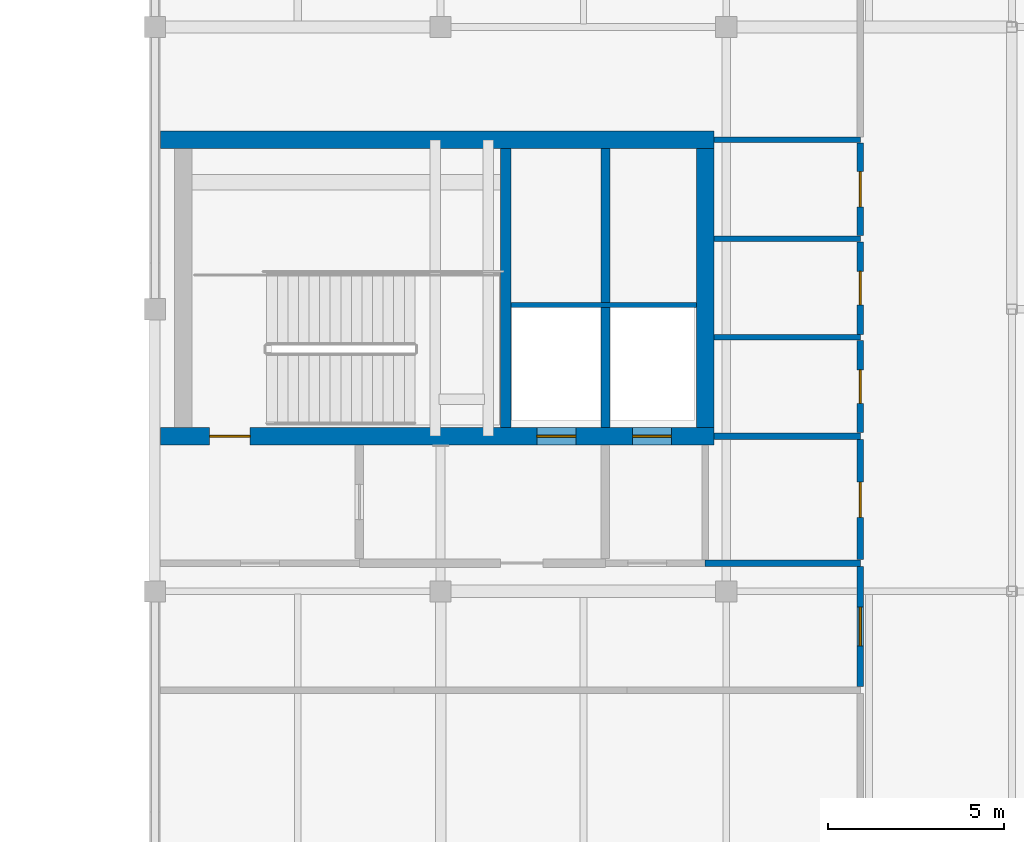
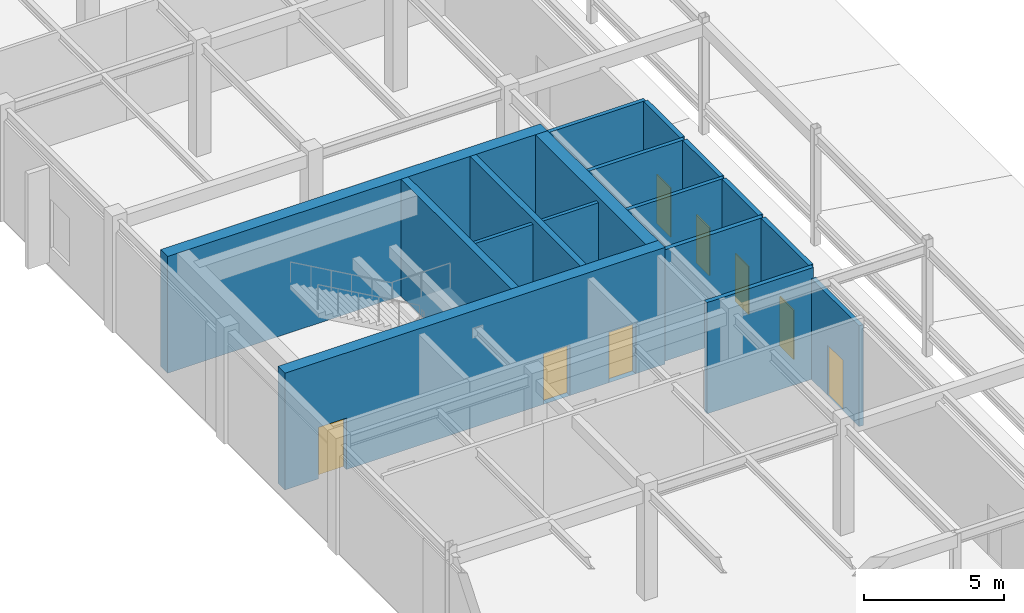
# One storey, part 60 of 70: 16 walls, 8 doors, 8 openings.
"""IFC4 building model written with IfcOpenShell, lengths in metres."""

from ifc_helpers import new_model, si_unit, direction, frame, frame_2d, origin, place, context, subcontext, project, spatial, rectangle, extrude, material, layer, layer_set, type_object, element, fill, save


model = new_model("IFC4")

# Units and contexts
model_context = context("Model", 3, precision=1e-05, world=origin(), true_north=direction((0.0, 1.0)))
body_context = subcontext(model_context, "Body", "Model", "MODEL_VIEW")
ifc_project = project(units=[si_unit("LENGTHUNIT", "METRE"), si_unit("AREAUNIT", "SQUARE_METRE"), si_unit("VOLUMEUNIT", "CUBIC_METRE"), si_unit("PLANEANGLEUNIT", "RADIAN"), si_unit("MASSUNIT", "GRAM", prefix="KILO")], contexts=[model_context])

# Site, building, storey
site_placement = place(None, origin())
site = spatial("IfcSite", under=ifc_project, at=site_placement, CompositionType="ELEMENT")
building_placement = place(site_placement, origin())
building = spatial("IfcBuilding", under=site, at=building_placement, Name="Tarnveldt Square Police Headquarters", CompositionType="ELEMENT")
storey_placement = place(building_placement, frame((0.0, 0.0, 19.800048828125)))
storey = spatial("IfcBuildingStorey", under=building, at=storey_placement, Name="L04", CompositionType="ELEMENT", Elevation=19.800048828125)

# Walls
ifc_material_1 = material(Name="Concrete 50 MPa", Category="concrete")
ifc_layer_1 = layer(ifc_material_1, 0.449951171875)
ifc_layer_set_1 = layer_set([ifc_layer_1], Name="Concrete 50 MPa")
wall_type_1 = type_object("IfcWallType", Name="WL-CORE-450", PredefinedType="SHEAR", material=ifc_layer_set_1)
wall_1_placement = place(storey_placement, frame((26.14990234375, 60.64990234375, 0.0), z_axis=(0.0, 0.0, 1.0), x_axis=(0.0, 1.0, 0.0)))
element("IfcWall", 1, at=wall_1_placement, inside=storey, type_object=wall_type_1, Name="Core K1 South-West Command and Firefighting Core L04 Stair-Lift Divider Shear Wall", PredefinedType="SHEAR", context=body_context, shape_type="SweptSolid", body=[
    extrude(rectangle(XDim=7.900146484375, YDim=0.300048828125, at=frame_2d((3.9501953125, 0.0))), origin(), (0.0, 0.0, 1.0), 5.099853515625),
])
wall_2_placement = place(storey_placement, frame((28.97509765625, 60.64990234375, 0.0), z_axis=(0.0, 0.0, 1.0), x_axis=(0.0, 1.0, 0.0)))
element("IfcWall", 2, at=wall_2_placement, inside=storey, type_object=wall_type_1, Name="Core K1 South-West Command and Firefighting Core L04 Dual-Lift Shaft Divider Wall", PredefinedType="SHEAR", context=body_context, shape_type="SweptSolid", body=[
    extrude(rectangle(XDim=7.900146484375, YDim=0.25, at=frame_2d((3.9501953125, 0.0))), origin(), (0.0, 0.0, 1.0), 5.099853515625),
])

# Wall, openings, doors
ifc_layer_2 = layer(ifc_material_1, 0.5)
ifc_layer_set_2 = layer_set([ifc_layer_2], Name="Concrete 50 MPa")
wall_type_2 = type_object("IfcWallType", Name="WL-CORE-500", PredefinedType="SHEAR", material=ifc_layer_set_2)
wall_3_placement = place(storey_placement, frame((16.360107421875, 60.39990234375, 0.0), z_axis=(0.0, 0.0, 1.0), x_axis=(1.0, 0.0, 0.0)))
wall_3 = element("IfcWall", 3, at=wall_3_placement, inside=storey, type_object=wall_type_2, Name="Core K1 South-West Command and Firefighting Core L04 South Shear Wall", PredefinedType="SHEAR", context=body_context, shape_type="SweptSolid", body=[
    extrude(rectangle(XDim=15.68994140625, YDim=0.5, at=frame_2d((7.844970703125, 0.0))), origin(), (0.0, 0.0, 1.0), 5.099853515625),
])
opening_1_placement = place(wall_3_placement, frame((1.389892578125, 0.0, 0.0)))
opening_1 = element("IfcOpeningElement", 4, at=opening_1_placement, cuts=wall_3, Name="Opening D-ST1-L04", PredefinedType="OPENING", context=body_context, shape_type="SweptSolid", body=[
    extrude(rectangle(XDim=1.14990234375, YDim=2.25, at=frame_2d((0.574951171875, 1.125))), frame((0.0, 0.260009765625, 0.0), z_axis=(0.0, -1.0, 0.0), x_axis=(1.0, 0.0, 0.0)), (0.0, 0.0, 1.0), 0.52001953125),
])
opening_2_placement = place(wall_3_placement, frame((10.672607421875, 0.0, 0.0)))
opening_2 = element("IfcOpeningElement", 5, at=opening_2_placement, cuts=wall_3, Name="Opening LD-LF1-L04", PredefinedType="OPENING", context=body_context, shape_type="SweptSolid", body=[
    extrude(rectangle(XDim=1.10009765625, YDim=2.199951171875, at=frame_2d((0.550048828125, 1.10009765625))), frame((0.0, 0.260009765625, 0.0), z_axis=(0.0, -1.0, 0.0), x_axis=(1.0, 0.0, 0.0)), (0.0, 0.0, 1.0), 0.52001953125),
])
opening_3_placement = place(wall_3_placement, frame((13.387451171875, 0.0, 0.0)))
opening_3 = element("IfcOpeningElement", 6, at=opening_3_placement, cuts=wall_3, Name="Opening LD-LP1-L04", PredefinedType="OPENING", context=body_context, shape_type="SweptSolid", body=[
    extrude(rectangle(XDim=1.10009765625, YDim=2.199951171875, at=frame_2d((0.550048828125, 1.10009765625))), frame((0.0, 0.260009765625, 0.0), z_axis=(0.0, -1.0, 0.0), x_axis=(1.0, 0.0, 0.0)), (0.0, 0.0, 1.0), 0.52001953125),
])
ifc_material_2 = material(Name="Insulated hollow metal steel door leaf", Category="steel")
door_type_1 = type_object("IfcDoorType", Name="DR-FD90-1150", OperationType="NOTDEFINED", PredefinedType="DOOR", material=ifc_material_2)
door_1_placement = place(opening_1_placement, origin())
door_1 = element("IfcDoor", 7, at=door_1_placement, inside=storey, type_object=door_type_1, Name="Exit Stair ST1 L04 Fire Door", OperationType="SINGLE_SWING_RIGHT", OverallHeight=2.25, OverallWidth=1.14990234375, PredefinedType="DOOR", context=body_context, shape_type="SweptSolid", body=[
    extrude(rectangle(XDim=1.14990234375, YDim=2.25, at=frame_2d((0.574951171875, 1.125))), frame((0.0, 0.02490234375, 0.0), z_axis=(0.0, -1.0, 0.0), x_axis=(1.0, 0.0, 0.0)), (0.0, 0.0, 1.0), 0.050048828125),
])
fill(opening_1, door_1)
ifc_material_3 = material(Name="Steel 350W", Category="steel")
door_type_2 = type_object("IfcDoorType", Name="DR-LD-1100", OperationType="DOUBLE_DOOR_SLIDING", PredefinedType="DOOR", material=ifc_material_3)
door_2_placement = place(opening_2_placement, frame((1.10009765625, 0.0, 0.0), z_axis=(0.0, 0.0, 1.0), x_axis=(-1.0, 0.0, 0.0)))
door_2 = element("IfcDoor", 8, at=door_2_placement, inside=storey, type_object=door_type_2, Name="Elevator LF1 L04 Sliding Landing Door", OperationType="DOUBLE_DOOR_SLIDING", OverallHeight=2.199951171875, OverallWidth=1.10009765625, PredefinedType="DOOR", context=body_context, shape_type="SweptSolid", body=[
    extrude(rectangle(XDim=1.10009765625, YDim=2.199951171875, at=frame_2d((0.550048828125, 1.10009765625))), frame((0.0, 0.02490234375, 0.0), z_axis=(0.0, -1.0, 0.0), x_axis=(1.0, 0.0, 0.0)), (0.0, 0.0, 1.0), 0.050048828125),
])
fill(opening_2, door_2)
door_3_placement = place(opening_3_placement, frame((1.10009765625, 0.0, 0.0), z_axis=(0.0, 0.0, 1.0), x_axis=(-1.0, 0.0, 0.0)))
door_3 = element("IfcDoor", 9, at=door_3_placement, inside=storey, type_object=door_type_2, Name="Elevator LP1 L04 Sliding Landing Door", OperationType="DOUBLE_DOOR_SLIDING", OverallHeight=2.199951171875, OverallWidth=1.10009765625, PredefinedType="DOOR", context=body_context, shape_type="SweptSolid", body=[
    extrude(rectangle(XDim=1.10009765625, YDim=2.199951171875, at=frame_2d((0.550048828125, 1.10009765625))), frame((0.0, 0.02490234375, 0.0), z_axis=(0.0, -1.0, 0.0), x_axis=(1.0, 0.0, 0.0)), (0.0, 0.0, 1.0), 0.050048828125),
])
fill(opening_3, door_3)

# Walls
wall_4_placement = place(storey_placement, frame((16.360107421875, 68.800048828125, 0.0), z_axis=(0.0, 0.0, 1.0), x_axis=(1.0, 0.0, 0.0)))
element("IfcWall", 10, at=wall_4_placement, inside=storey, type_object=wall_type_2, Name="Core K1 South-West Command and Firefighting Core L04 North Shear Wall", PredefinedType="SHEAR", context=body_context, shape_type="SweptSolid", body=[
    extrude(rectangle(XDim=15.68994140625, YDim=0.5, at=frame_2d((7.844970703125, 0.0))), origin(), (0.0, 0.0, 1.0), 5.099853515625),
])
wall_5_placement = place(storey_placement, frame((31.800048828125, 60.64990234375, 0.0), z_axis=(0.0, 0.0, 1.0), x_axis=(0.0, 1.0, 0.0)))
element("IfcWall", 11, at=wall_5_placement, inside=storey, type_object=wall_type_2, Name="Core K1 South-West Command and Firefighting Core L04 East Shear Wall", PredefinedType="SHEAR", context=body_context, shape_type="SweptSolid", body=[
    extrude(rectangle(XDim=7.900146484375, YDim=0.5, at=frame_2d((3.9501953125, 0.0))), origin(), (0.0, 0.0, 1.0), 5.099853515625),
])
ifc_material_4 = material(Name="Fire-rated Type X gypsum board on steel studs", Category="steel")
ifc_layer_3 = layer(ifc_material_4, 0.179931640625)
ifc_layer_set_3 = layer_set([ifc_layer_3], Name="Fire-rated Type X gypsum board on steel studs")
wall_type_3 = type_object("IfcWallType", Name="WL-FIRE-180", PredefinedType="PARTITIONING", material=ifc_layer_set_3)
wall_6_placement = place(storey_placement, frame((31.800048828125, 56.800048828125, 0.0), z_axis=(0.0, 0.0, 1.0), x_axis=(1.0, 0.0, 0.0)))
element("IfcWall", 12, at=wall_6_placement, inside=storey, type_object=wall_type_3, Name="L04 Interior Partition Wall 0552", PredefinedType="PARTITIONING", context=body_context, shape_type="SweptSolid", body=[
    extrude(rectangle(XDim=4.39990234375, YDim=0.179931640625, at=frame_2d((2.199951171875, 0.0))), origin(), (0.0, 0.0, 1.0), 4.85986328125),
])
wall_7_placement = place(storey_placement, frame((32.050048828125, 60.39990234375, 0.0), z_axis=(0.0, 0.0, 1.0), x_axis=(1.0, 0.0, 0.0)))
element("IfcWall", 13, at=wall_7_placement, inside=storey, type_object=wall_type_3, Name="L04 Interior Partition Wall 0553", PredefinedType="PARTITIONING", context=body_context, shape_type="SweptSolid", body=[
    extrude(rectangle(XDim=4.14990234375, YDim=0.179931640625, at=frame_2d((2.074951171875, 0.0))), origin(), (0.0, 0.0, 1.0), 4.85986328125),
])

# Wall, opening, door
wall_8_placement = place(storey_placement, frame((36.199951171875, 53.298095703125, 0.0), z_axis=(0.0, 0.0, 1.0), x_axis=(0.0, 1.0, 0.0)))
wall_8 = element("IfcWall", 14, at=wall_8_placement, inside=storey, type_object=wall_type_3, Name="L04 Interior Partition Wall 0575", PredefinedType="PARTITIONING", context=body_context, shape_type="SweptSolid", body=[
    extrude(rectangle(XDim=3.40380859375, YDim=0.179931640625, at=frame_2d((1.701904296875, 0.0))), origin(), (0.0, 0.0, 1.0), 4.405029296875),
])
opening_4_placement = place(wall_8_placement, frame((1.152099609375, 0.0, 0.0)))
opening_4 = element("IfcOpeningElement", 15, at=opening_4_placement, cuts=wall_8, Name="Opening D15", PredefinedType="OPENING", context=body_context, shape_type="SweptSolid", body=[
    extrude(rectangle(XDim=1.10009765625, YDim=2.199951171875, at=frame_2d((0.550048828125, 1.10009765625))), frame((0.0, 0.099853515625, 0.0), z_axis=(0.0, -1.0, 0.0), x_axis=(1.0, 0.0, 0.0)), (0.0, 0.0, 1.0), 0.199951171875),
])
door_type_3 = type_object("IfcDoorType", Name="DR-FD60-1100", OperationType="NOTDEFINED", PredefinedType="DOOR", material=ifc_material_2)
door_4_placement = place(opening_4_placement, origin())
door_4 = element("IfcDoor", 16, at=door_4_placement, inside=storey, type_object=door_type_3, Name="Core K1 South Link Corridor L04 Door", OperationType="SINGLE_SWING_LEFT", OverallHeight=2.199951171875, OverallWidth=1.10009765625, PredefinedType="DOOR", context=body_context, shape_type="SweptSolid", body=[
    extrude(rectangle(XDim=1.10009765625, YDim=2.199951171875, at=frame_2d((0.550048828125, 1.10009765625))), frame((0.0, 0.02490234375, 0.0), z_axis=(0.0, -1.0, 0.0), x_axis=(1.0, 0.0, 0.0)), (0.0, 0.0, 1.0), 0.050048828125),
])
fill(opening_4, door_4)

wall_9_placement = place(storey_placement, frame((36.199951171875, 56.89794921875, 0.0), z_axis=(0.0, 0.0, 1.0), x_axis=(0.0, 1.0, 0.0)))
wall_9 = element("IfcWall", 17, at=wall_9_placement, inside=storey, type_object=wall_type_3, Name="L04 Interior Partition Wall 0576", PredefinedType="PARTITIONING", context=body_context, shape_type="SweptSolid", body=[
    extrude(rectangle(XDim=3.404052734375, YDim=0.179931640625, at=frame_2d((1.7021484375, 0.0))), origin(), (0.0, 0.0, 1.0), 4.85986328125),
])
opening_5_placement = place(wall_9_placement, frame((1.201904296875, 0.0, 0.0)))
opening_5 = element("IfcOpeningElement", 18, at=opening_5_placement, cuts=wall_9, Name="Opening D14", PredefinedType="OPENING", context=body_context, shape_type="SweptSolid", body=[
    extrude(rectangle(XDim=1.0, YDim=2.14990234375, at=frame_2d((0.5, 1.074951171875))), frame((0.0, 0.099853515625, 0.0), z_axis=(0.0, -1.0, 0.0), x_axis=(1.0, 0.0, 0.0)), (0.0, 0.0, 1.0), 0.199951171875),
])
door_type_4 = type_object("IfcDoorType", Name="DR-FD60-1000", OperationType="NOTDEFINED", PredefinedType="DOOR", material=ifc_material_2)
door_5_placement = place(opening_5_placement, origin())
door_5 = element("IfcDoor", 19, at=door_5_placement, inside=storey, type_object=door_type_4, Name="Electrical Distribution Room L04 Door", OperationType="SINGLE_SWING_RIGHT", OverallHeight=2.14990234375, OverallWidth=1.0, PredefinedType="DOOR", context=body_context, shape_type="SweptSolid", body=[
    extrude(rectangle(XDim=1.0, YDim=2.14990234375, at=frame_2d((0.5, 1.074951171875))), frame((0.0, 0.02490234375, 0.0), z_axis=(0.0, -1.0, 0.0), x_axis=(1.0, 0.0, 0.0)), (0.0, 0.0, 1.0), 0.050048828125),
])
fill(opening_5, door_5)

wall_10_placement = place(storey_placement, frame((36.199951171875, 60.498046875, 0.0), z_axis=(0.0, 0.0, 1.0), x_axis=(0.0, 1.0, 0.0)))
wall_10 = element("IfcWall", 20, at=wall_10_placement, inside=storey, type_object=wall_type_3, Name="L04 Interior Partition Wall 0577", PredefinedType="PARTITIONING", context=body_context, shape_type="SweptSolid", body=[
    extrude(rectangle(XDim=2.614013671875, YDim=0.179931640625, at=frame_2d((1.30712890625, 0.0))), origin(), (0.0, 0.0, 1.0), 4.85986328125),
])
opening_6_placement = place(wall_10_placement, frame((0.83203125, 0.0, 0.0)))
opening_6 = element("IfcOpeningElement", 21, at=opening_6_placement, cuts=wall_10, Name="Opening D02", PredefinedType="OPENING", context=body_context, shape_type="SweptSolid", body=[
    extrude(rectangle(XDim=0.949951171875, YDim=2.10009765625, at=frame_2d((0.47509765625, 1.050048828125))), frame((0.0, 0.099853515625, 0.0), z_axis=(0.0, -1.0, 0.0), x_axis=(1.0, 0.0, 0.0)), (0.0, 0.0, 1.0), 0.199951171875),
])
ifc_material_5 = material(Name="Solid core architectural birch door leaf", Category="wood")
door_type_5 = type_object("IfcDoorType", Name="DR-WC-950", OperationType="NOTDEFINED", PredefinedType="DOOR", material=ifc_material_5)
door_6_placement = place(opening_6_placement, origin())
door_6 = element("IfcDoor", 22, at=door_6_placement, inside=storey, type_object=door_type_5, Name="Men Washroom L04 Door", OperationType="SINGLE_SWING_LEFT", OverallHeight=2.10009765625, OverallWidth=0.949951171875, PredefinedType="DOOR", context=body_context, shape_type="SweptSolid", body=[
    extrude(rectangle(XDim=0.949951171875, YDim=2.10009765625, at=frame_2d((0.47509765625, 1.050048828125))), frame((0.0, 0.02490234375, 0.0), z_axis=(0.0, -1.0, 0.0), x_axis=(1.0, 0.0, 0.0)), (0.0, 0.0, 1.0), 0.050048828125),
])
fill(opening_6, door_6)

wall_11_placement = place(storey_placement, frame((36.199951171875, 63.2880859375, 0.0), z_axis=(0.0, 0.0, 1.0), x_axis=(0.0, 1.0, 0.0)))
wall_11 = element("IfcWall", 23, at=wall_11_placement, inside=storey, type_object=wall_type_3, Name="L04 Interior Partition Wall 0578", PredefinedType="PARTITIONING", context=body_context, shape_type="SweptSolid", body=[
    extrude(rectangle(XDim=2.6240234375, YDim=0.179931640625, at=frame_2d((1.31201171875, 0.0))), origin(), (0.0, 0.0, 1.0), 4.85986328125),
])
opening_7_placement = place(wall_11_placement, frame((0.8369140625, 0.0, 0.0)))
opening_7 = element("IfcOpeningElement", 24, at=opening_7_placement, cuts=wall_11, Name="Opening D02", PredefinedType="OPENING", context=body_context, shape_type="SweptSolid", body=[
    extrude(rectangle(XDim=0.949951171875, YDim=2.10009765625, at=frame_2d((0.47509765625, 1.050048828125))), frame((0.0, 0.099853515625, 0.0), z_axis=(0.0, -1.0, 0.0), x_axis=(1.0, 0.0, 0.0)), (0.0, 0.0, 1.0), 0.199951171875),
])
door_7_placement = place(opening_7_placement, origin())
door_7 = element("IfcDoor", 25, at=door_7_placement, inside=storey, type_object=door_type_5, Name="Women Washroom L04 Door", OperationType="SINGLE_SWING_RIGHT", OverallHeight=2.10009765625, OverallWidth=0.949951171875, PredefinedType="DOOR", context=body_context, shape_type="SweptSolid", body=[
    extrude(rectangle(XDim=0.949951171875, YDim=2.10009765625, at=frame_2d((0.47509765625, 1.050048828125))), frame((0.0, 0.02490234375, 0.0), z_axis=(0.0, -1.0, 0.0), x_axis=(1.0, 0.0, 0.0)), (0.0, 0.0, 1.0), 0.050048828125),
])
fill(opening_7, door_7)

wall_12_placement = place(storey_placement, frame((36.199951171875, 66.087890625, 0.0), z_axis=(0.0, 0.0, 1.0), x_axis=(0.0, 1.0, 0.0)))
wall_12 = element("IfcWall", 26, at=wall_12_placement, inside=storey, type_object=wall_type_3, Name="L04 Interior Partition Wall 0579", PredefinedType="PARTITIONING", context=body_context, shape_type="SweptSolid", body=[
    extrude(rectangle(XDim=2.6240234375, YDim=0.179931640625, at=frame_2d((1.31201171875, 0.0))), origin(), (0.0, 0.0, 1.0), 4.85986328125),
])
opening_8_placement = place(wall_12_placement, frame((0.81201171875, 0.0, 0.0)))
opening_8 = element("IfcOpeningElement", 27, at=opening_8_placement, cuts=wall_12, Name="Opening D04", PredefinedType="OPENING", context=body_context, shape_type="SweptSolid", body=[
    extrude(rectangle(XDim=1.0, YDim=2.14990234375, at=frame_2d((0.5, 1.074951171875))), frame((0.0, 0.099853515625, 0.0), z_axis=(0.0, -1.0, 0.0), x_axis=(1.0, 0.0, 0.0)), (0.0, 0.0, 1.0), 0.199951171875),
])
door_type_6 = type_object("IfcDoorType", Name="DR-ACC-1000", OperationType="NOTDEFINED", PredefinedType="DOOR", material=ifc_material_5)
door_8_placement = place(opening_8_placement, origin())
door_8 = element("IfcDoor", 28, at=door_8_placement, inside=storey, type_object=door_type_6, Name="Accessible WC L04 Door", OperationType="SINGLE_SWING_LEFT", OverallHeight=2.14990234375, OverallWidth=1.0, PredefinedType="DOOR", context=body_context, shape_type="SweptSolid", body=[
    extrude(rectangle(XDim=1.0, YDim=2.14990234375, at=frame_2d((0.5, 1.074951171875))), frame((0.0, 0.02490234375, 0.0), z_axis=(0.0, -1.0, 0.0), x_axis=(1.0, 0.0, 0.0)), (0.0, 0.0, 1.0), 0.050048828125),
])
fill(opening_8, door_8)

# Walls
ifc_layer_4 = layer(ifc_material_4, 0.14990234375)
ifc_layer_set_4 = layer_set([ifc_layer_4], Name="Fire-rated Type X gypsum board on steel studs")
wall_type_4 = type_object("IfcWallType", Name="WL-SHAFT-150", PredefinedType="PARTITIONING", material=ifc_layer_set_4)
wall_13_placement = place(storey_placement, frame((26.300048828125, 64.1201171875, 0.0), z_axis=(0.0, 0.0, 1.0), x_axis=(1.0, 0.0, 0.0)))
element("IfcWall", 29, at=wall_13_placement, inside=storey, type_object=wall_type_4, Name="K1 L04 Elevator Shaft Back Wall", PredefinedType="PARTITIONING", context=body_context, shape_type="SweptSolid", body=[
    extrude(rectangle(XDim=5.25, YDim=0.14990234375, at=frame_2d((2.625, 0.0))), origin(), (0.0, 0.0, 1.0), 4.85986328125),
])
ifc_material_6 = material(Name="Concrete block masonry 15 MPa", Category="masonry")
ifc_layer_5 = layer(ifc_material_6, 0.159912109375)
ifc_layer_set_5 = layer_set([ifc_layer_5], Name="Concrete block masonry 15 MPa")
wall_type_5 = type_object("IfcWallType", Name="WL-WET-160", PredefinedType="PARTITIONING", material=ifc_layer_set_5)
for number, where, z_axis, x_axis, name in (
    (30, (32.05810546875, 63.199951171875, 0.0), (0.0, 0.0, 1.0), (1.0, 0.0, 0.0), "L04 Interior Partition Wall 0554"),
    (31, (32.05810546875, 66.0, 0.0), (0.0, 0.0, 1.0), (1.0, 0.0, 0.0), "L04 Interior Partition Wall 0555"),
):
    element("IfcWall", number, at=place(storey_placement, frame(where, z_axis=z_axis, x_axis=x_axis)), inside=storey, type_object=wall_type_5, Name=name, PredefinedType="PARTITIONING", context=body_context, shape_type="SweptSolid", body=[
        extrude(rectangle(XDim=4.141845703125, YDim=0.159912109375, at=frame_2d((2.07080078125, 0.0))), origin(), (0.0, 0.0, 1.0), 4.85986328125),
    ])
wall_14_placement = place(storey_placement, frame((32.050048828125, 68.800048828125, 0.0), z_axis=(0.0, 0.0, 1.0), x_axis=(1.0, 0.0, 0.0)))
element("IfcWall", 32, at=wall_14_placement, inside=storey, type_object=wall_type_5, Name="L04 Interior Partition Wall 0556", PredefinedType="PARTITIONING", context=body_context, shape_type="SweptSolid", body=[
    extrude(rectangle(XDim=4.14990234375, YDim=0.159912109375, at=frame_2d((2.074951171875, 0.0))), origin(), (0.0, 0.0, 1.0), 4.85986328125),
])

save(model, "model.ifc")
